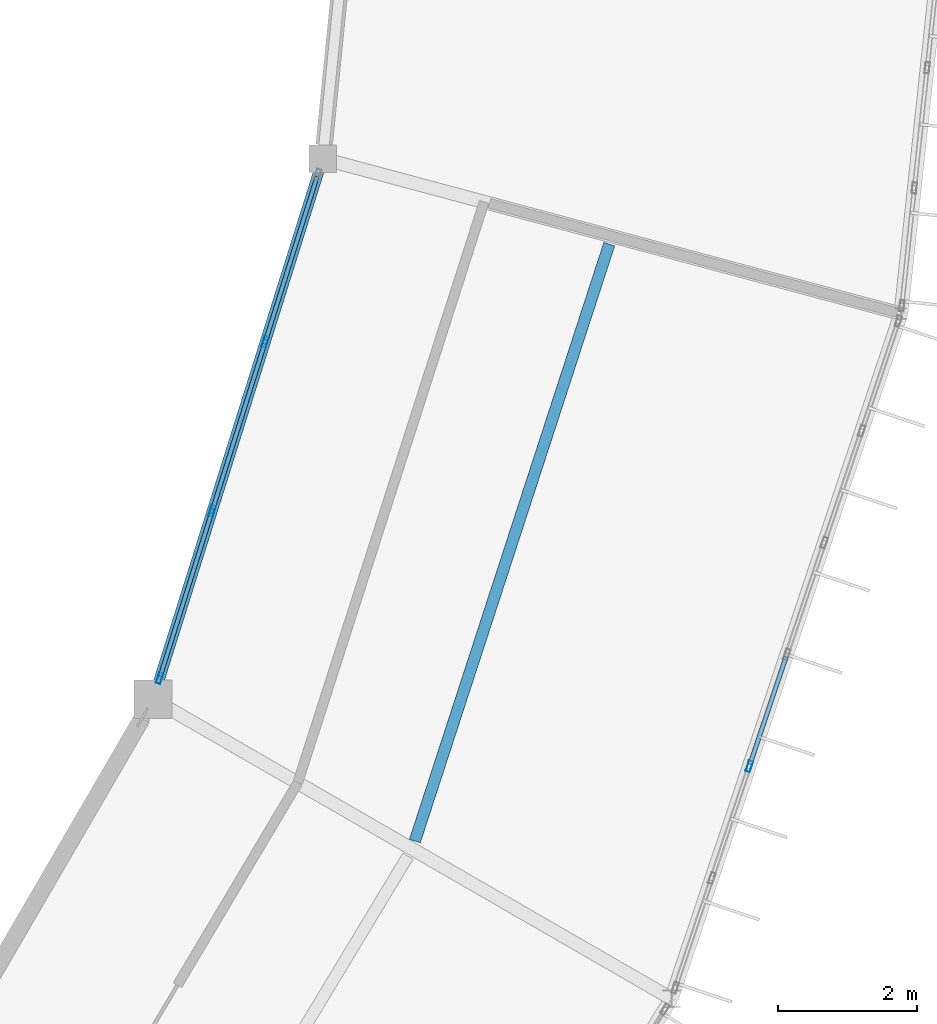
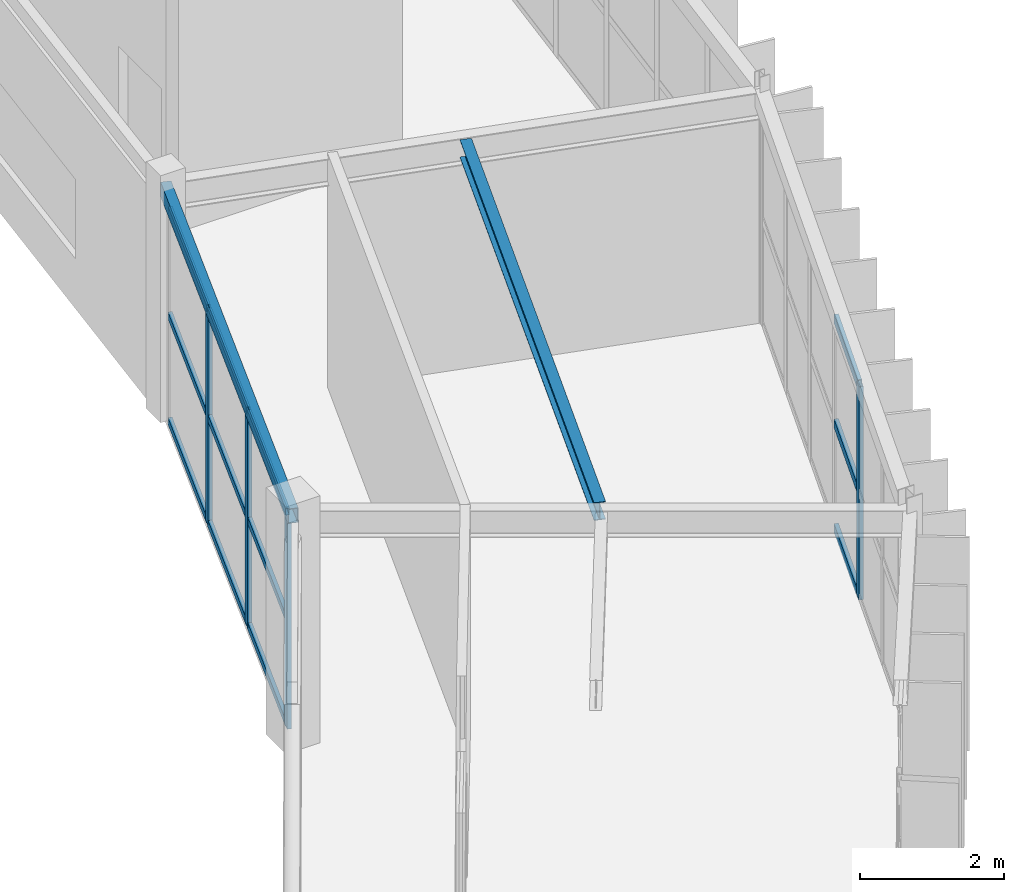
# One storey, part 58 of 134: 16 members, 2 beams, 2 elements without a shape of their own.
"""IFC4 building model written with IfcOpenShell, lengths in metres."""

from ifc_helpers import new_model, si_unit, direction, frame, origin, origin_2d, place, context, subcontext, project, spatial, hollow_rectangle, i_section, extrude, material, material_profile, profile_set, type_object, element, aggregate, save


model = new_model("IFC4")

# Units and contexts
model_context = context("Model", 3, precision=1e-05, world=origin(), true_north=direction((0.0, 1.0)))
body_context = subcontext(model_context, "Body", "Model", "MODEL_VIEW")
ifc_project = project(units=[si_unit("LENGTHUNIT", "METRE"), si_unit("AREAUNIT", "SQUARE_METRE"), si_unit("VOLUMEUNIT", "CUBIC_METRE"), si_unit("PLANEANGLEUNIT", "RADIAN"), si_unit("MASSUNIT", "GRAM", prefix="KILO")], contexts=[model_context])

# Site, building, storey
site_placement = place(None, origin())
site = spatial("IfcSite", under=ifc_project, at=site_placement, CompositionType="ELEMENT")
building_placement = place(site_placement, origin())
building = spatial("IfcBuilding", under=site, at=building_placement, Name="Karori Crest Natural Sciences Institute", CompositionType="ELEMENT")
storey_placement = place(building_placement, frame((0.0, 0.0, 21.699951171875)))
storey = spatial("IfcBuildingStorey", under=building, at=storey_placement, Name="L05", CompositionType="ELEMENT", Elevation=21.699951171875)

# Beams
ifc_material_1 = material(Name="Structural steel AS/NZS 3679.1 Grade 350", Category="steel")
ifc_material_profile_1 = material_profile(ifc_material_1, i_section(OverallWidth=0.1650390625, OverallDepth=0.303955078125, WebThickness=0.006103515625, FlangeThickness=0.01025390625, FilletRadius=0.010986328125, at=origin_2d()), Name="310UB40.4")
ifc_profile_set_1 = profile_set([ifc_material_profile_1], Name="Structural steel AS/NZS 3679.1 Grade 350")
beam_type_1 = type_object("IfcBeamType", Name="BT-10", PredefinedType="BEAM", material=ifc_profile_set_1)
beam_1_placement = place(storey_placement, frame((91.2919921875, 31.76416015625, 3.7880859375), z_axis=(0.309698753032, 0.950834729262, 0.0), x_axis=(-0.950834729262, 0.309698753032, 0.0)))
element("IfcBeam", 1, at=beam_1_placement, inside=storey, type_object=beam_type_1, Name="Beam B-0615", PredefinedType="BEAM", context=body_context, shape_type="SweptSolid", body=[
    extrude(i_section(OverallWidth=0.1650390625, OverallDepth=0.303955078125, WebThickness=0.006103515625, FlangeThickness=0.01025390625, FilletRadius=0.010986328125, at=origin_2d()), origin(), (0.0, 0.0, 1.0), 9.018310546875),
])
ifc_material_2 = material(Name="Hollow structural steel AS/NZS 1163 Grade C350", Category="steel")
ifc_material_profile_2 = material_profile(ifc_material_2, hollow_rectangle(XDim=0.14990234375, YDim=0.25, WallThickness=0.009033203125, at=origin_2d()), Name="RHS250x150x9")
ifc_profile_set_2 = profile_set([ifc_material_profile_2], Name="Hollow structural steel AS/NZS 1163 Grade C350")
beam_type_2 = type_object("IfcBeamType", Name="BT-16", PredefinedType="SPANDREL", material=ifc_profile_set_2)
beam_2_placement = place(storey_placement, frame((87.531005859375, 33.800048828125, 3.7900390625), z_axis=(0.299468576182, 0.954106163841, 0.0), x_axis=(-0.954106163841, 0.299468576182, 0.0)))
element("IfcBeam", 2, at=beam_2_placement, inside=storey, type_object=beam_type_2, Name="Beam B-0613", PredefinedType="SPANDREL", context=body_context, shape_type="SweptSolid", body=[
    extrude(hollow_rectangle(XDim=0.14990234375, YDim=0.25, WallThickness=0.009033203125, at=origin_2d()), origin(), (0.0, 0.0, 1.0), 8.139404296875),
])

# Curtain wall, member
ifc_material_3 = material(Name="Anodised architectural aluminium 6063-T6", Category="aluminium")
curtain_wall_type_1 = type_object("IfcCurtainWallType", Name="CWT-03", PredefinedType="NOTDEFINED", material=ifc_material_3)
curtain_wall_1_placement = place(storey_placement, origin())
curtain_wall_1 = element("IfcCurtainWall", 3, at=curtain_wall_1_placement, inside=storey, type_object=curtain_wall_type_1, Name="Curtain wall CW-0205", PredefinedType="NOTDEFINED")
ifc_material_profile_3 = material_profile(ifc_material_3, hollow_rectangle(XDim=0.06494140625, YDim=0.159912109375, WallThickness=0.00390625, at=origin_2d()), Name="CWM160x65x4")
ifc_profile_set_3 = profile_set([ifc_material_profile_3], Name="Anodised architectural aluminium 6063-T6")
member_type_1 = type_object("IfcMemberType", Name="CWM-01", PredefinedType="MULLION", material=ifc_profile_set_3)
member_1_placement = place(storey_placement, frame((96.096923828125, 32.837158203125, 0.0), z_axis=(0.0, 0.0, 1.0), x_axis=(0.94819805026, -0.317679803392, 0.0)))
member_1 = element("IfcMember", 4, at=member_1_placement, type_object=member_type_1, Name="CW-0205 mullion 5", PredefinedType="MULLION", context=body_context, shape_type="SweptSolid", body=[
    extrude(hollow_rectangle(XDim=0.06494140625, YDim=0.159912109375, WallThickness=0.00390625, at=origin_2d()), origin(), (0.0, 0.0, 1.0), 3.625),
])

# Curtain wall, members
curtain_wall_type_2 = type_object("IfcCurtainWallType", Name="CWT-13", PredefinedType="NOTDEFINED", material=ifc_material_3)
curtain_wall_2_placement = place(storey_placement, origin())
curtain_wall_2 = element("IfcCurtainWall", 5, at=curtain_wall_2_placement, inside=storey, type_object=curtain_wall_type_2, Name="Curtain wall CW-0206", PredefinedType="NOTDEFINED")
member_2_placement = place(storey_placement, frame((87.62646484375, 34.10400390625, 0.0), z_axis=(0.0, 0.0, 1.0), x_axis=(-0.954104067778, 0.299475254154, 0.0)))
member_2 = element("IfcMember", 6, at=member_2_placement, type_object=member_type_1, Name="CW-0206 mullion 1", PredefinedType="MULLION", context=body_context, shape_type="SweptSolid", body=[
    extrude(hollow_rectangle(XDim=0.06494140625, YDim=0.159912109375, WallThickness=0.00390625, at=origin_2d()), origin(), (0.0, 0.0, 1.0), 3.650146484375),
])
member_3_placement = place(storey_placement, frame((88.3798828125, 36.504638671875, 0.0), z_axis=(0.0, 0.0, 1.0), x_axis=(-0.954104067778, 0.299475254154, 0.0)))
member_3 = element("IfcMember", 7, at=member_3_placement, type_object=member_type_1, Name="CW-0206 mullion 2", PredefinedType="MULLION", context=body_context, shape_type="SweptSolid", body=[
    extrude(hollow_rectangle(XDim=0.06494140625, YDim=0.159912109375, WallThickness=0.00390625, at=origin_2d()), origin(), (0.0, 0.0, 1.0), 3.650146484375),
])
member_4_placement = place(storey_placement, frame((89.14306640625, 38.936279296875, 0.0), z_axis=(0.0, 0.0, 1.0), x_axis=(-0.954104067778, 0.299475254154, 0.0)))
member_4 = element("IfcMember", 8, at=member_4_placement, type_object=member_type_1, Name="CW-0206 mullion 3", PredefinedType="MULLION", context=body_context, shape_type="SweptSolid", body=[
    extrude(hollow_rectangle(XDim=0.06494140625, YDim=0.159912109375, WallThickness=0.00390625, at=origin_2d()), origin(), (0.0, 0.0, 1.0), 3.650146484375),
])
ifc_material_profile_4 = material_profile(ifc_material_3, hollow_rectangle(XDim=0.06005859375, YDim=0.1201171875, WallThickness=0.00390625, at=origin_2d()), Name="CWT120x60x4")
ifc_profile_set_4 = profile_set([ifc_material_profile_4], Name="Anodised architectural aluminium 6063-T6")
member_type_2 = type_object("IfcMemberType", Name="CWT-TR1", PredefinedType="USERDEFINED", material=ifc_profile_set_4)
member_5_placement = place(storey_placement, frame((87.63623046875, 34.135009765625, 0.030029296875), z_axis=(0.299414751752, 0.954123056232, 0.0), x_axis=(-0.954123056232, 0.299414751752, 0.0)))
member_5 = element("IfcMember", 9, at=member_5_placement, type_object=member_type_2, Name="CW-0206 transom 1.1", ObjectType="TRANSOM", PredefinedType="USERDEFINED", context=body_context, shape_type="SweptSolid", body=[
    extrude(hollow_rectangle(XDim=0.06005859375, YDim=0.1201171875, WallThickness=0.00390625, at=origin_2d()), origin(), (0.0, 0.0, 1.0), 2.451171875),
])
member_6_placement = place(storey_placement, frame((87.63623046875, 34.135009765625, 1.824951171875), z_axis=(0.299414751752, 0.954123056232, 0.0), x_axis=(-0.954123056232, 0.299414751752, 0.0)))
member_6 = element("IfcMember", 10, at=member_6_placement, type_object=member_type_2, Name="CW-0206 transom 1.2", ObjectType="TRANSOM", PredefinedType="USERDEFINED", context=body_context, shape_type="SweptSolid", body=[
    extrude(hollow_rectangle(XDim=0.06005859375, YDim=0.1201171875, WallThickness=0.00390625, at=origin_2d()), origin(), (0.0, 0.0, 1.0), 2.451171875),
])
member_7_placement = place(storey_placement, frame((87.63623046875, 34.135009765625, 3.6201171875), z_axis=(0.299414751752, 0.954123056232, 0.0), x_axis=(-0.954123056232, 0.299414751752, 0.0)))
member_7 = element("IfcMember", 11, at=member_7_placement, type_object=member_type_2, Name="CW-0206 transom 1.3", ObjectType="TRANSOM", PredefinedType="USERDEFINED", context=body_context, shape_type="SweptSolid", body=[
    extrude(hollow_rectangle(XDim=0.06005859375, YDim=0.1201171875, WallThickness=0.00390625, at=origin_2d()), origin(), (0.0, 0.0, 1.0), 2.451171875),
])
member_8_placement = place(storey_placement, frame((88.3896484375, 36.53564453125, 0.030029296875), z_axis=(0.299517296731, 0.954090870389, 0.0), x_axis=(-0.954090870389, 0.299517296731, 0.0)))
member_8 = element("IfcMember", 12, at=member_8_placement, type_object=member_type_2, Name="CW-0206 transom 2.1", ObjectType="TRANSOM", PredefinedType="USERDEFINED", context=body_context, shape_type="SweptSolid", body=[
    extrude(hollow_rectangle(XDim=0.06005859375, YDim=0.1201171875, WallThickness=0.00390625, at=origin_2d()), origin(), (0.0, 0.0, 1.0), 2.483642578125),
])
member_9_placement = place(storey_placement, frame((88.3896484375, 36.53564453125, 1.824951171875), z_axis=(0.299517296731, 0.954090870389, 0.0), x_axis=(-0.954090870389, 0.299517296731, 0.0)))
member_9 = element("IfcMember", 13, at=member_9_placement, type_object=member_type_2, Name="CW-0206 transom 2.2", ObjectType="TRANSOM", PredefinedType="USERDEFINED", context=body_context, shape_type="SweptSolid", body=[
    extrude(hollow_rectangle(XDim=0.06005859375, YDim=0.1201171875, WallThickness=0.00390625, at=origin_2d()), origin(), (0.0, 0.0, 1.0), 2.483642578125),
])
member_10_placement = place(storey_placement, frame((88.3896484375, 36.53564453125, 3.6201171875), z_axis=(0.299517296731, 0.954090870389, 0.0), x_axis=(-0.954090870389, 0.299517296731, 0.0)))
member_10 = element("IfcMember", 14, at=member_10_placement, type_object=member_type_2, Name="CW-0206 transom 2.3", ObjectType="TRANSOM", PredefinedType="USERDEFINED", context=body_context, shape_type="SweptSolid", body=[
    extrude(hollow_rectangle(XDim=0.06005859375, YDim=0.1201171875, WallThickness=0.00390625, at=origin_2d()), origin(), (0.0, 0.0, 1.0), 2.483642578125),
])
member_11_placement = place(storey_placement, frame((89.15283203125, 38.96728515625, 0.030029296875), z_axis=(0.29950542383, 0.954094597562, 0.0), x_axis=(-0.954094597562, 0.29950542383, 0.0)))
member_11 = element("IfcMember", 15, at=member_11_placement, type_object=member_type_2, Name="CW-0206 transom 3.1", ObjectType="TRANSOM", PredefinedType="USERDEFINED", context=body_context, shape_type="SweptSolid", body=[
    extrude(hollow_rectangle(XDim=0.06005859375, YDim=0.1201171875, WallThickness=0.00390625, at=origin_2d()), origin(), (0.0, 0.0, 1.0), 2.451171875),
])
member_12_placement = place(storey_placement, frame((89.15283203125, 38.96728515625, 1.824951171875), z_axis=(0.29950542383, 0.954094597562, 0.0), x_axis=(-0.954094597562, 0.29950542383, 0.0)))
member_12 = element("IfcMember", 16, at=member_12_placement, type_object=member_type_2, Name="CW-0206 transom 3.2", ObjectType="TRANSOM", PredefinedType="USERDEFINED", context=body_context, shape_type="SweptSolid", body=[
    extrude(hollow_rectangle(XDim=0.06005859375, YDim=0.1201171875, WallThickness=0.00390625, at=origin_2d()), origin(), (0.0, 0.0, 1.0), 2.451171875),
])
member_13_placement = place(storey_placement, frame((89.15283203125, 38.96728515625, 3.6201171875), z_axis=(0.29950542383, 0.954094597562, 0.0), x_axis=(-0.954094597562, 0.29950542383, 0.0)))
member_13 = element("IfcMember", 17, at=member_13_placement, type_object=member_type_2, Name="CW-0206 transom 3.3", ObjectType="TRANSOM", PredefinedType="USERDEFINED", context=body_context, shape_type="SweptSolid", body=[
    extrude(hollow_rectangle(XDim=0.06005859375, YDim=0.1201171875, WallThickness=0.00390625, at=origin_2d()), origin(), (0.0, 0.0, 1.0), 2.451171875),
])
aggregate(curtain_wall_2, [member_2, member_3, member_4, member_5, member_6, member_7, member_8, member_9, member_10, member_11, member_12, member_13])

# Member
ifc_material_profile_5 = material_profile(ifc_material_3, hollow_rectangle(XDim=0.06494140625, YDim=0.14990234375, WallThickness=0.00390625, at=origin_2d()), Name="CWT150x65x4")
ifc_profile_set_5 = profile_set([ifc_material_profile_5], Name="Anodised architectural aluminium 6063-T6")
member_type_3 = type_object("IfcMemberType", Name="CWT-TR2", PredefinedType="USERDEFINED", material=ifc_profile_set_5)
member_14_placement = place(storey_placement, frame((96.62451171875, 34.412353515625, 0.032470703125), z_axis=(-0.317621421426, -0.948217608279, 0.0), x_axis=(0.948217608279, -0.317621421426, 0.0)))
member_14 = element("IfcMember", 18, at=member_14_placement, type_object=member_type_3, Name="CW-0205 transom 4.1", ObjectType="TRANSOM", PredefinedType="USERDEFINED", context=body_context, shape_type="SweptSolid", body=[
    extrude(hollow_rectangle(XDim=0.06494140625, YDim=0.14990234375, WallThickness=0.00390625, at=origin_2d()), origin(), (0.0, 0.0, 1.0), 1.628662109375),
])

member_15_placement = place(storey_placement, frame((96.62451171875, 34.412353515625, 1.8125), z_axis=(-0.317621421426, -0.948217608279, 0.0), x_axis=(0.948217608279, -0.317621421426, 0.0)))
member_15 = element("IfcMember", 19, at=member_15_placement, type_object=member_type_3, Name="CW-0205 transom 4.2", ObjectType="TRANSOM", PredefinedType="USERDEFINED", context=body_context, shape_type="SweptSolid", body=[
    extrude(hollow_rectangle(XDim=0.06494140625, YDim=0.14990234375, WallThickness=0.00390625, at=origin_2d()), origin(), (0.0, 0.0, 1.0), 1.628662109375),
])

member_16_placement = place(storey_placement, frame((96.62451171875, 34.412353515625, 3.592529296875), z_axis=(-0.317621421426, -0.948217608279, 0.0), x_axis=(0.948217608279, -0.317621421426, 0.0)))
member_16 = element("IfcMember", 20, at=member_16_placement, type_object=member_type_3, Name="CW-0205 transom 4.3", ObjectType="TRANSOM", PredefinedType="USERDEFINED", context=body_context, shape_type="SweptSolid", body=[
    extrude(hollow_rectangle(XDim=0.06494140625, YDim=0.14990234375, WallThickness=0.00390625, at=origin_2d()), origin(), (0.0, 0.0, 1.0), 1.628662109375),
])

aggregate(curtain_wall_1, [member_1, member_14, member_15, member_16])

save(model, "model.ifc")
